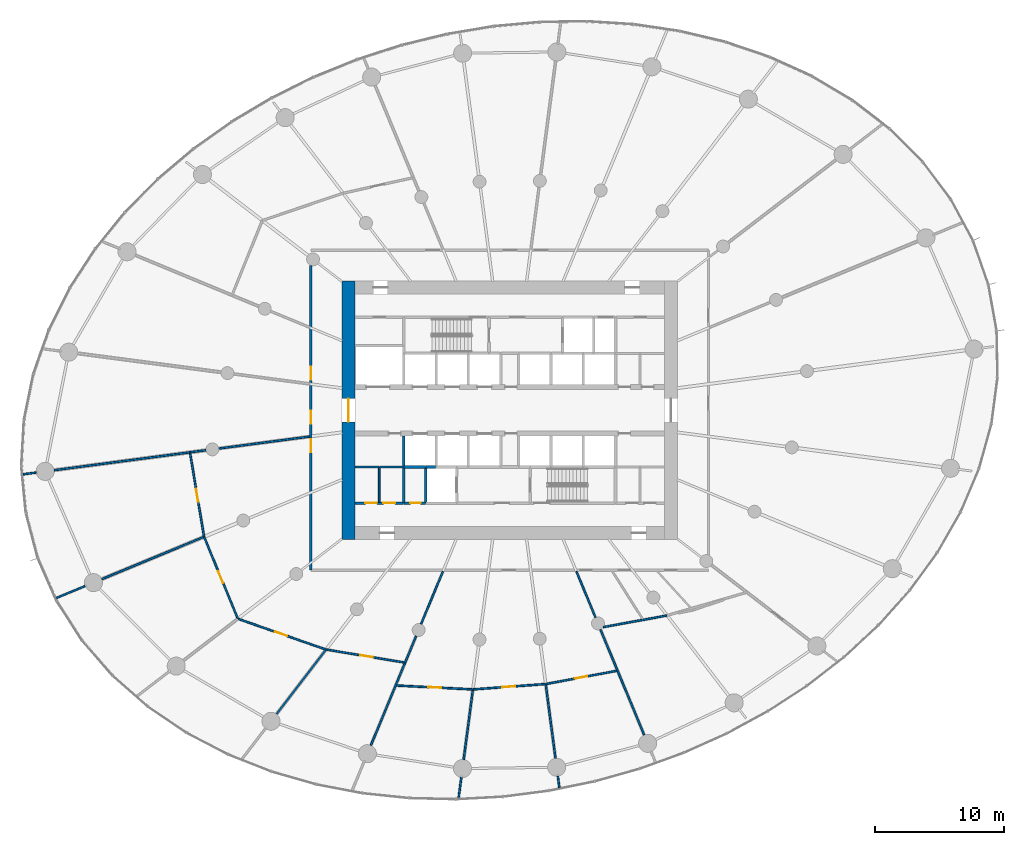
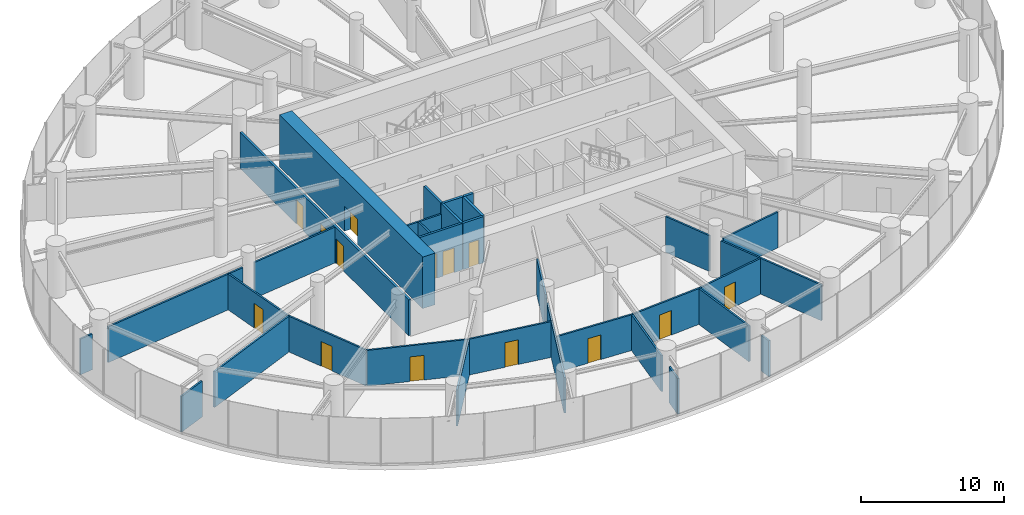
# One storey, part 11 of 18: 36 walls, 14 doors, 14 openings.
"""IFC4 building model written with IfcOpenShell, lengths in metres."""

from ifc_helpers import new_model, si_unit, direction, frame, frame_2d, origin, place, context, subcontext, project, spatial, rectangle, extrude, source, transform, mapped, material, layer, layer_set, type_object, element, fill, save


model = new_model("IFC4")

# Units and contexts
model_context = context("Model", 3, precision=1e-05, world=origin(), true_north=direction((0.0, 1.0)))
body_context = subcontext(model_context, "Body", "Model", "MODEL_VIEW")
ifc_project = project(units=[si_unit("LENGTHUNIT", "METRE"), si_unit("AREAUNIT", "SQUARE_METRE"), si_unit("VOLUMEUNIT", "CUBIC_METRE"), si_unit("PLANEANGLEUNIT", "RADIAN"), si_unit("MASSUNIT", "GRAM", prefix="KILO")], contexts=[model_context])

# Site, building, storey
site_placement = place(None, origin())
site = spatial("IfcSite", under=ifc_project, at=site_placement, CompositionType="ELEMENT")
building_placement = place(site_placement, origin())
building = spatial("IfcBuilding", under=site, at=building_placement, Name="Spindrift Exchange Tower", CompositionType="ELEMENT")
storey_placement = place(building_placement, frame((0.0, 0.0, 66.60009765625)))
storey = spatial("IfcBuildingStorey", under=building, at=storey_placement, Name="L15", CompositionType="ELEMENT", Elevation=66.60009765625)

# Wall, opening, door
ifc_material_1 = material(Name="Concrete 80 MPa", Category="concrete")
ifc_layer_1 = layer(ifc_material_1, 1.0)
ifc_layer_set_1 = layer_set([ifc_layer_1], Name="RC Core Wall 1000 Concrete 80 MPa")
wall_type_1 = type_object("IfcWallType", Name="RC Core Wall 1000 Concrete 80 MPa", PredefinedType="SHEAR", material=ifc_layer_set_1)
wall_1_placement = place(storey_placement, frame((39.5, 58.0, 0.0), z_axis=(0.0, 0.0, 1.0), x_axis=(0.0, -1.0, 0.0)))
wall_1 = element("IfcWall", 1, at=wall_1_placement, inside=storey, type_object=wall_type_1, Name="Core wall W L15", PredefinedType="SHEAR", context=body_context, shape_type="SweptSolid", body=[
    extrude(rectangle(XDim=20.0, YDim=1.0, at=frame_2d((10.0, 0.0))), origin(), (0.0, 0.0, 1.0), 4.39990234375),
])
opening_1_placement = place(wall_1_placement, frame((9.10009765625, 0.0, 0.0)))
opening_1 = element("IfcOpeningElement", 2, at=opening_1_placement, cuts=wall_1, Name="Opening L15-D1", PredefinedType="OPENING", context=body_context, shape_type="SweptSolid", body=[
    extrude(rectangle(XDim=1.800048828125, YDim=2.10009765625, at=frame_2d((0.89990234375, 1.050048828125))), frame((0.0, 0.510009765625, 0.0), z_axis=(0.0, -1.0, 0.0), x_axis=(1.0, 0.0, 0.0)), (0.0, 0.0, 1.0), 1.02001953125),
])
ifc_material_2 = material(Name="Timber-core fire door", Category="wood")
door_type_1 = type_object("IfcDoorType", Name="DR-LOBBY-1800", OperationType="NOTDEFINED", PredefinedType="DOOR", material=ifc_material_2)
shared_shape_1 = source(origin(), body_context, "Body", "SweptSolid", [
    extrude(rectangle(XDim=1.800048828125, YDim=2.10009765625, at=frame_2d((0.89990234375, 1.050048828125))), frame((0.0, 0.02490234375, 0.0), z_axis=(0.0, -1.0, 0.0), x_axis=(1.0, 0.0, 0.0)), (0.0, 0.0, 1.0), 0.050048828125),
])
door_1_placement = place(opening_1_placement, origin())
door_1 = element("IfcDoor", 3, at=door_1_placement, inside=storey, type_object=door_type_1, Name="L15 Lobby door 1", OperationType="SINGLE_SWING_LEFT", OverallHeight=2.10009765625, OverallWidth=1.800048828125, PredefinedType="DOOR", context=body_context, shape_type="MappedRepresentation", body=[
    mapped(shared_shape_1, transform((0.0, 0.0, 0.0), scale=1.0)),
])
fill(opening_1, door_1)

# Wall, openings, doors
ifc_material_3 = material(Name="Fire-rated plasterboard partition", Category="gypsum")
ifc_layer_2 = layer(ifc_material_3, 0.179931640625)
ifc_layer_set_2 = layer_set([ifc_layer_2], Name="W-CORR-180")
wall_type_2 = type_object("IfcWallType", Name="W-CORR-180", PredefinedType="PARTITIONING", material=ifc_layer_set_2)
wall_2_placement = place(storey_placement, frame((40.02001953125, 40.800048828125, 0.0), z_axis=(0.0, 0.0, 1.0), x_axis=(1.0, 0.0, 0.0)))
wall_2 = element("IfcWall", 4, at=wall_2_placement, inside=storey, type_object=wall_type_2, Name="L15 Partition wall 61", PredefinedType="PARTITIONING", context=body_context, shape_type="SweptSolid", body=[
    extrude(rectangle(XDim=3.75, YDim=0.179931640625, at=frame_2d((1.875, 0.0))), origin(), (0.0, 0.0, 1.0), 3.949951171875),
])
opening_2_placement = place(wall_2_placement, frame((0.800048828125, 0.0, 0.0)))
opening_2 = element("IfcOpeningElement", 5, at=opening_2_placement, cuts=wall_2, Name="Opening L15-D46", PredefinedType="OPENING", context=body_context, shape_type="SweptSolid", body=[
    extrude(rectangle(XDim=0.89990234375, YDim=2.10009765625, at=frame_2d((0.449951171875, 1.050048828125))), frame((0.0, 0.099853515625, 0.0), z_axis=(0.0, -1.0, 0.0), x_axis=(1.0, 0.0, 0.0)), (0.0, 0.0, 1.0), 0.199951171875),
])
opening_3_placement = place(wall_2_placement, frame((2.199951171875, 0.0, 0.0)))
opening_3 = element("IfcOpeningElement", 6, at=opening_3_placement, cuts=wall_2, Name="Opening L15-D47", PredefinedType="OPENING", context=body_context, shape_type="SweptSolid", body=[
    extrude(rectangle(XDim=0.89990234375, YDim=2.10009765625, at=frame_2d((0.449951171875, 1.050048828125))), frame((0.0, 0.099853515625, 0.0), z_axis=(0.0, -1.0, 0.0), x_axis=(1.0, 0.0, 0.0)), (0.0, 0.0, 1.0), 0.199951171875),
])
ifc_material_4 = material(Name="Steel access door", Category="steel")
door_type_2 = type_object("IfcDoorType", Name="DR-RISER-900", OperationType="NOTDEFINED", PredefinedType="DOOR", material=ifc_material_4)
shared_shape_2 = source(origin(), body_context, "Body", "SweptSolid", [
    extrude(rectangle(XDim=0.89990234375, YDim=2.10009765625, at=frame_2d((0.449951171875, 1.050048828125))), frame((0.0, 0.02490234375, 0.0), z_axis=(0.0, -1.0, 0.0), x_axis=(1.0, 0.0, 0.0)), (0.0, 0.0, 1.0), 0.050048828125),
])
door_2_placement = place(opening_2_placement, origin())
door_2 = element("IfcDoor", 7, at=door_2_placement, inside=storey, type_object=door_type_2, Name="L15 Riser door 46", OperationType="SINGLE_SWING_RIGHT", OverallHeight=2.10009765625, OverallWidth=0.89990234375, PredefinedType="DOOR", context=body_context, shape_type="MappedRepresentation", body=[
    mapped(shared_shape_2, transform((0.0, 0.0, 0.0), scale=1.0)),
])
fill(opening_2, door_2)
door_3_placement = place(opening_3_placement, origin())
door_3 = element("IfcDoor", 8, at=door_3_placement, inside=storey, type_object=door_type_2, Name="L15 Riser door 47", OperationType="SINGLE_SWING_LEFT", OverallHeight=2.10009765625, OverallWidth=0.89990234375, PredefinedType="DOOR", context=body_context, shape_type="MappedRepresentation", body=[
    mapped(shared_shape_2, transform((0.0, 0.0, 0.0), scale=1.0)),
])
fill(opening_3, door_3)

# Walls
ifc_layer_3 = layer(ifc_material_3, 0.139892578125)
ifc_layer_set_3 = layer_set([ifc_layer_3], Name="W-PART-140")
wall_type_3 = type_object("IfcWallType", Name="W-PART-140", PredefinedType="PARTITIONING", material=ifc_layer_set_3)
wall_3_placement = place(storey_placement, frame((27.23095703125, 44.739013671875, 0.0), z_axis=(0.0, 0.0, 1.0), x_axis=(-0.991446699666, -0.130512228242, 0.0)))
element("IfcWall", 9, at=wall_3_placement, inside=storey, type_object=wall_type_3, Name="L15 Partition wall 67", PredefinedType="PARTITIONING", context=body_context, shape_type="SweptSolid", body=[
    extrude(rectangle(XDim=10.614013671875, YDim=0.139892578125, at=frame_2d((5.30712890625, 0.0))), origin(), (0.0, 0.0, 1.0), 3.0498046875),
])
wall_4_placement = place(storey_placement, frame((28.32421875, 38.193115234375, 0.0), z_axis=(0.0, 0.0, 1.0), x_axis=(-0.923883575944, -0.382673670509, 0.0)))
element("IfcWall", 10, at=wall_4_placement, inside=storey, type_object=wall_type_3, Name="L15 Partition wall 71", PredefinedType="PARTITIONING", context=body_context, shape_type="SweptSolid", body=[
    extrude(rectangle(XDim=8.574462890625, YDim=0.139892578125, at=frame_2d((4.287109375, 0.0))), origin(), (0.0, 0.0, 1.0), 3.0498046875),
])
wall_5_placement = place(storey_placement, frame((37.72802734375, 29.400390625, 0.0), z_axis=(0.0, 0.0, 1.0), x_axis=(-0.608768873777, -0.793347627664, 0.0)))
element("IfcWall", 11, at=wall_5_placement, inside=storey, type_object=wall_type_3, Name="L15 Partition wall 81", PredefinedType="PARTITIONING", context=body_context, shape_type="SweptSolid", body=[
    extrude(rectangle(XDim=6.228515625, YDim=0.139892578125, at=frame_2d((3.1142578125, 0.0))), origin(), (0.0, 0.0, 1.0), 3.0498046875),
])
wall_6_placement = place(storey_placement, frame((54.79296875, 26.78515625, 0.0), z_axis=(0.0, 0.0, 1.0), x_axis=(0.130536206542, -0.991443542912, 0.0)))
element("IfcWall", 12, at=wall_6_placement, inside=storey, type_object=wall_type_3, Name="L15 Partition wall 87", PredefinedType="PARTITIONING", context=body_context, shape_type="SweptSolid", body=[
    extrude(rectangle(XDim=5.7978515625, YDim=0.139892578125, at=frame_2d((2.89892578125, 0.0))), origin(), (0.0, 0.0, 1.0), 3.0498046875),
])
wall_7_placement = place(storey_placement, frame((49.14306640625, 26.298828125, 0.0), z_axis=(0.0, 0.0, 1.0), x_axis=(-0.130549097007, -0.991441845632, 0.0)))
element("IfcWall", 13, at=wall_7_placement, inside=storey, type_object=wall_type_3, Name="L15 Partition wall 91", PredefinedType="PARTITIONING", context=body_context, shape_type="SweptSolid", body=[
    extrude(rectangle(XDim=5.408447265625, YDim=0.139892578125, at=frame_2d((2.7041015625, 0.0))), origin(), (0.0, 0.0, 1.0), 3.0498046875),
])
wall_8_placement = place(storey_placement, frame((59.25537109375, 31.193603515625, 0.0), z_axis=(0.0, 0.0, 1.0), x_axis=(0.983629077345, 0.180204989389, 0.0)))
element("IfcWall", 14, at=wall_8_placement, inside=storey, type_object=wall_type_3, Name="L15 Partition wall 94", PredefinedType="PARTITIONING", context=body_context, shape_type="SweptSolid", body=[
    extrude(rectangle(XDim=4.997802734375, YDim=0.139892578125, at=frame_2d((2.4990234375, 0.0))), origin(), (0.0, 0.0, 1.0), 3.0498046875),
])
wall_9_placement = place(storey_placement, frame((41.89990234375, 40.889892578125, 0.0), z_axis=(0.0, 0.0, 1.0), x_axis=(0.0, 1.0, 0.0)))
element("IfcWall", 15, at=wall_9_placement, inside=storey, type_object=wall_type_3, Name="L15 Partition wall 105", PredefinedType="PARTITIONING", context=body_context, shape_type="SweptSolid", body=[
    extrude(rectangle(XDim=2.710205078125, YDim=0.139892578125, at=frame_2d((1.35498046875, 0.0))), origin(), (0.0, 0.0, 1.0), 3.0498046875),
])
wall_10_placement = place(storey_placement, frame((19.099853515625, 34.372314453125, 0.0), z_axis=(0.0, 0.0, 1.0), x_axis=(-0.923877154041, -0.38268917445, 0.0)))
element("IfcWall", 16, at=wall_10_placement, inside=storey, type_object=wall_type_3, Name="L15 Partition wall 108", PredefinedType="PARTITIONING", context=body_context, shape_type="SweptSolid", body=[
    extrude(rectangle(XDim=2.385986328125, YDim=0.139892578125, at=frame_2d((1.19287109375, 0.0))), origin(), (0.0, 0.0, 1.0), 3.0498046875),
])
wall_11_placement = place(storey_placement, frame((43.77001953125, 43.60009765625, 0.0), z_axis=(0.0, 0.0, 1.0), x_axis=(-1.0, 0.0, 0.0)))
element("IfcWall", 17, at=wall_11_placement, inside=storey, type_object=wall_type_3, Name="L15 Partition wall 112", PredefinedType="PARTITIONING", context=body_context, shape_type="SweptSolid", body=[
    extrude(rectangle(XDim=1.840087890625, YDim=0.139892578125, at=frame_2d((0.919921875, 0.0))), origin(), (0.0, 0.0, 1.0), 3.0498046875),
])
wall_12_placement = place(storey_placement, frame((41.8701171875, 43.60009765625, 0.0), z_axis=(0.0, 0.0, 1.0), x_axis=(-1.0, 0.0, 0.0)))
element("IfcWall", 18, at=wall_12_placement, inside=storey, type_object=wall_type_3, Name="L15 Partition wall 115", PredefinedType="PARTITIONING", context=body_context, shape_type="SweptSolid", body=[
    extrude(rectangle(XDim=1.85009765625, YDim=0.139892578125, at=frame_2d((0.925048828125, 0.0))), origin(), (0.0, 0.0, 1.0), 3.0498046875),
])
wall_13_placement = place(storey_placement, frame((48.253173828125, 19.540283203125, 0.0), z_axis=(0.0, 0.0, 1.0), x_axis=(-0.130454512571, -0.991454295543, 0.0)))
element("IfcWall", 19, at=wall_13_placement, inside=storey, type_object=wall_type_3, Name="L15 Partition wall 118", PredefinedType="PARTITIONING", context=body_context, shape_type="SweptSolid", body=[
    extrude(rectangle(XDim=1.581298828125, YDim=0.139892578125, at=frame_2d((0.79052734375, 0.0))), origin(), (0.0, 0.0, 1.0), 3.0498046875),
])
wall_14_placement = place(storey_placement, frame((15.311279296875, 43.169921875, 0.0), z_axis=(0.0, 0.0, 1.0), x_axis=(-0.99142596949, -0.130669610165, 0.0)))
element("IfcWall", 20, at=wall_14_placement, inside=storey, type_object=wall_type_3, Name="L15 Partition wall 125", PredefinedType="PARTITIONING", context=body_context, shape_type="SweptSolid", body=[
    extrude(rectangle(XDim=1.027587890625, YDim=0.139892578125, at=frame_2d((0.513671875, 0.0))), origin(), (0.0, 0.0, 1.0), 3.0498046875),
])
wall_15_placement = place(storey_placement, frame((55.733642578125, 19.640380859375, 0.0), z_axis=(0.0, 0.0, 1.0), x_axis=(0.130418622478, -0.991459017262, 0.0)))
element("IfcWall", 21, at=wall_15_placement, inside=storey, type_object=wall_type_3, Name="L15 Partition wall 127", PredefinedType="PARTITIONING", context=body_context, shape_type="SweptSolid", body=[
    extrude(rectangle(XDim=0.8798828125, YDim=0.139892578125, at=frame_2d((0.43994140625, 0.0))), origin(), (0.0, 0.0, 1.0), 3.0498046875),
])
ifc_layer_4 = layer(ifc_material_3, 0.139892578125)
ifc_layer_set_4 = layer_set([ifc_layer_4], Name="W-PLANT-140")
wall_type_4 = type_object("IfcWallType", Name="W-PLANT-140", PredefinedType="PARTITIONING", material=ifc_layer_set_4)
wall_16_placement = place(storey_placement, frame((59.034912109375, 31.015869140625, 0.0), z_axis=(0.0, 0.0, 1.0), x_axis=(0.382692208588, -0.923875897232, 0.0)))
element("IfcWall", 22, at=wall_16_placement, inside=storey, type_object=wall_type_4, Name="L15 Partition wall 70", PredefinedType="PARTITIONING", context=body_context, shape_type="SweptSolid", body=[
    extrude(rectangle(XDim=8.846435546875, YDim=0.139892578125, at=frame_2d((4.42333984375, 0.0))), origin(), (0.0, 0.0, 1.0), 3.0498046875),
])

# Wall, opening, door
wall_17_placement = place(storey_placement, frame((37.77294921875, 29.458984375, 0.0), z_axis=(0.0, 0.0, 1.0), x_axis=(-0.944197740639, 0.329379153215, 0.0)))
wall_17 = element("IfcWall", 23, at=wall_17_placement, inside=storey, type_object=wall_type_4, Name="L15 Partition wall 74", PredefinedType="PARTITIONING", context=body_context, shape_type="SweptSolid", body=[
    extrude(rectangle(XDim=7.234375, YDim=0.139892578125, at=frame_2d((3.6171875, 0.0))), origin(), (0.0, 0.0, 1.0), 3.0498046875),
])
opening_4_placement = place(wall_17_placement, frame((3.184326171875, 0.0, 0.0)))
opening_4 = element("IfcOpeningElement", 24, at=opening_4_placement, cuts=wall_17, Name="Opening L15-D39", PredefinedType="OPENING", context=body_context, shape_type="SweptSolid", body=[
    extrude(rectangle(XDim=1.0, YDim=2.10009765625, at=frame_2d((0.5, 1.050048828125))), frame((0.0, 0.079833984375, 0.0), z_axis=(0.0, -1.0, 0.0), x_axis=(1.0, 0.0, 0.0)), (0.0, 0.0, 1.0), 0.159912109375),
])
door_type_3 = type_object("IfcDoorType", Name="DR-ROOM-1000", OperationType="NOTDEFINED", PredefinedType="DOOR", material=ifc_material_2)
shared_shape_3 = source(origin(), body_context, "Body", "SweptSolid", [
    extrude(rectangle(XDim=1.0, YDim=2.10009765625, at=frame_2d((0.5, 1.050048828125))), frame((0.0, 0.02490234375, 0.0), z_axis=(0.0, -1.0, 0.0), x_axis=(1.0, 0.0, 0.0)), (0.0, 0.0, 1.0), 0.050048828125),
])
door_4_placement = place(opening_4_placement, origin())
door_4 = element("IfcDoor", 25, at=door_4_placement, inside=storey, type_object=door_type_3, Name="L15 Door 39", OperationType="SINGLE_SWING_LEFT", OverallHeight=2.10009765625, OverallWidth=1.0, PredefinedType="DOOR", context=body_context, shape_type="MappedRepresentation", body=[
    mapped(shared_shape_3, transform((0.0, 0.0, 0.0), scale=1.0)),
])
fill(opening_4, door_4)

# Walls
wall_18_placement = place(storey_placement, frame((36.510009765625, 45.960693359375, 0.0), z_axis=(0.0, 0.0, 1.0), x_axis=(-0.99144622305, -0.130515848849, 0.0)))
element("IfcWall", 26, at=wall_18_placement, inside=storey, type_object=wall_type_4, Name="L15 Partition wall 75", PredefinedType="PARTITIONING", context=body_context, shape_type="SweptSolid", body=[
    extrude(rectangle(XDim=7.1044921875, YDim=0.139892578125, at=frame_2d((3.55224609375, 0.0))), origin(), (0.0, 0.0, 1.0), 3.0498046875),
])
wall_19_placement = place(storey_placement, frame((43.898681640625, 28.442138671875, 0.0), z_axis=(0.0, 0.0, 1.0), x_axis=(-0.382643242671, -0.923896178603, 0.0)))
element("IfcWall", 27, at=wall_19_placement, inside=storey, type_object=wall_type_4, Name="L15 Partition wall 76", PredefinedType="PARTITIONING", context=body_context, shape_type="SweptSolid", body=[
    extrude(rectangle(XDim=6.9296875, YDim=0.139892578125, at=frame_2d((3.46484375, 0.0))), origin(), (0.0, 0.0, 1.0), 3.0498046875),
])

# Wall, opening, door
wall_20_placement = place(storey_placement, frame((30.930908203125, 31.86962890625, 0.0), z_axis=(0.0, 0.0, 1.0), x_axis=(-0.38111222583, 0.924528783393, 0.0)))
wall_20 = element("IfcWall", 28, at=wall_20_placement, inside=storey, type_object=wall_type_4, Name="L15 Partition wall 77", PredefinedType="PARTITIONING", context=body_context, shape_type="SweptSolid", body=[
    extrude(rectangle(XDim=6.8095703125, YDim=0.139892578125, at=frame_2d((3.40478515625, 0.0))), origin(), (0.0, 0.0, 1.0), 3.0498046875),
])
opening_5_placement = place(wall_20_placement, frame((2.959716796875, 0.0, 0.0)))
opening_5 = element("IfcOpeningElement", 29, at=opening_5_placement, cuts=wall_20, Name="Opening L15-D38", PredefinedType="OPENING", context=body_context, shape_type="SweptSolid", body=[
    extrude(rectangle(XDim=1.0, YDim=2.10009765625, at=frame_2d((0.5, 1.050048828125))), frame((0.0, 0.079833984375, 0.0), z_axis=(0.0, -1.0, 0.0), x_axis=(1.0, 0.0, 0.0)), (0.0, 0.0, 1.0), 0.159912109375),
])
door_5_placement = place(opening_5_placement, origin())
door_5 = element("IfcDoor", 30, at=door_5_placement, inside=storey, type_object=door_type_3, Name="L15 Door 38", OperationType="SINGLE_SWING_RIGHT", OverallHeight=2.10009765625, OverallWidth=1.0, PredefinedType="DOOR", context=body_context, shape_type="MappedRepresentation", body=[
    mapped(shared_shape_3, transform((0.0, 0.0, 0.0), scale=1.0)),
])
fill(opening_5, door_5)

wall_21_placement = place(storey_placement, frame((28.319091796875, 38.22265625, 0.0), z_axis=(0.0, 0.0, 1.0), x_axis=(-0.164712011009, 0.986341702165, 0.0)))
wall_21 = element("IfcWall", 31, at=wall_21_placement, inside=storey, type_object=wall_type_4, Name="L15 Partition wall 78", PredefinedType="PARTITIONING", context=body_context, shape_type="SweptSolid", body=[
    extrude(rectangle(XDim=6.57666015625, YDim=0.139892578125, at=frame_2d((3.288330078125, 0.0))), origin(), (0.0, 0.0, 1.0), 3.0498046875),
])
opening_6_placement = place(wall_21_placement, frame((2.726806640625, 0.0, 0.0)))
opening_6 = element("IfcOpeningElement", 32, at=opening_6_placement, cuts=wall_21, Name="Opening L15-D37", PredefinedType="OPENING", context=body_context, shape_type="SweptSolid", body=[
    extrude(rectangle(XDim=1.0, YDim=2.10009765625, at=frame_2d((0.5, 1.050048828125))), frame((0.0, 0.079833984375, 0.0), z_axis=(0.0, -1.0, 0.0), x_axis=(1.0, 0.0, 0.0)), (0.0, 0.0, 1.0), 0.159912109375),
])
door_6_placement = place(opening_6_placement, origin())
door_6 = element("IfcDoor", 33, at=door_6_placement, inside=storey, type_object=door_type_3, Name="L15 Door 37", OperationType="SINGLE_SWING_LEFT", OverallHeight=2.10009765625, OverallWidth=1.0, PredefinedType="DOOR", context=body_context, shape_type="MappedRepresentation", body=[
    mapped(shared_shape_3, transform((0.0, 0.0, 0.0), scale=1.0)),
])
fill(opening_6, door_6)

wall_22_placement = place(storey_placement, frame((43.827880859375, 28.453857421875, 0.0), z_axis=(0.0, 0.0, 1.0), x_axis=(-0.986499590072, 0.163763728546, 0.0)))
wall_22 = element("IfcWall", 34, at=wall_22_placement, inside=storey, type_object=wall_type_4, Name="L15 Partition wall 83", PredefinedType="PARTITIONING", context=body_context, shape_type="SweptSolid", body=[
    extrude(rectangle(XDim=6.10791015625, YDim=0.139892578125, at=frame_2d((3.053955078125, 0.0))), origin(), (0.0, 0.0, 1.0), 3.0498046875),
])
opening_7_placement = place(wall_22_placement, frame((2.4580078125, 0.0, 0.0)))
opening_7 = element("IfcOpeningElement", 35, at=opening_7_placement, cuts=wall_22, Name="Opening L15-D40", PredefinedType="OPENING", context=body_context, shape_type="SweptSolid", body=[
    extrude(rectangle(XDim=1.0, YDim=2.10009765625, at=frame_2d((0.5, 1.050048828125))), frame((0.0, 0.079833984375, 0.0), z_axis=(0.0, -1.0, 0.0), x_axis=(1.0, 0.0, 0.0)), (0.0, 0.0, 1.0), 0.159912109375),
])
door_7_placement = place(opening_7_placement, origin())
door_7 = element("IfcDoor", 36, at=door_7_placement, inside=storey, type_object=door_type_3, Name="L15 Door 40", OperationType="SINGLE_SWING_RIGHT", OverallHeight=2.10009765625, OverallWidth=1.0, PredefinedType="DOOR", context=body_context, shape_type="MappedRepresentation", body=[
    mapped(shared_shape_3, transform((0.0, 0.0, 0.0), scale=1.0)),
])
fill(opening_7, door_7)

wall_23_placement = place(storey_placement, frame((49.152099609375, 26.368408203125, 0.0), z_axis=(0.0, 0.0, 1.0), x_axis=(-0.998693229409, 0.051106100745, 0.0)))
wall_23 = element("IfcWall", 37, at=wall_23_placement, inside=storey, type_object=wall_type_4, Name="L15 Partition wall 86", PredefinedType="PARTITIONING", context=body_context, shape_type="SweptSolid", body=[
    extrude(rectangle(XDim=5.9189453125, YDim=0.139892578125, at=frame_2d((2.95947265625, 0.0))), origin(), (0.0, 0.0, 1.0), 3.0498046875),
])
opening_8_placement = place(wall_23_placement, frame((2.468994140625, 0.0, 0.0)))
opening_8 = element("IfcOpeningElement", 38, at=opening_8_placement, cuts=wall_23, Name="Opening L15-D42", PredefinedType="OPENING", context=body_context, shape_type="SweptSolid", body=[
    extrude(rectangle(XDim=1.0, YDim=2.10009765625, at=frame_2d((0.5, 1.050048828125))), frame((0.0, 0.079833984375, 0.0), z_axis=(0.0, -1.0, 0.0), x_axis=(1.0, 0.0, 0.0)), (0.0, 0.0, 1.0), 0.159912109375),
])
door_8_placement = place(opening_8_placement, origin())
door_8 = element("IfcDoor", 39, at=door_8_placement, inside=storey, type_object=door_type_3, Name="L15 Door 42", OperationType="SINGLE_SWING_RIGHT", OverallHeight=2.10009765625, OverallWidth=1.0, PredefinedType="DOOR", context=body_context, shape_type="MappedRepresentation", body=[
    mapped(shared_shape_3, transform((0.0, 0.0, 0.0), scale=1.0)),
])
fill(opening_8, door_8)

wall_24_placement = place(storey_placement, frame((60.288330078125, 27.807373046875, 0.0), z_axis=(0.0, 0.0, 1.0), x_axis=(-0.983131702219, -0.182899032506, 0.0)))
wall_24 = element("IfcWall", 40, at=wall_24_placement, inside=storey, type_object=wall_type_4, Name="L15 Partition wall 88", PredefinedType="PARTITIONING", context=body_context, shape_type="SweptSolid", body=[
    extrude(rectangle(XDim=5.5595703125, YDim=0.139892578125, at=frame_2d((2.77978515625, 0.0))), origin(), (0.0, 0.0, 1.0), 3.0498046875),
])
opening_9_placement = place(wall_24_placement, frame((2.3095703125, 0.0, 0.0)))
opening_9 = element("IfcOpeningElement", 41, at=opening_9_placement, cuts=wall_24, Name="Opening L15-D44", PredefinedType="OPENING", context=body_context, shape_type="SweptSolid", body=[
    extrude(rectangle(XDim=1.0, YDim=2.10009765625, at=frame_2d((0.5, 1.050048828125))), frame((0.0, 0.079833984375, 0.0), z_axis=(0.0, -1.0, 0.0), x_axis=(1.0, 0.0, 0.0)), (0.0, 0.0, 1.0), 0.159912109375),
])
door_9_placement = place(opening_9_placement, origin())
door_9 = element("IfcDoor", 42, at=door_9_placement, inside=storey, type_object=door_type_3, Name="L15 Door 44", OperationType="SINGLE_SWING_RIGHT", OverallHeight=2.10009765625, OverallWidth=1.0, PredefinedType="DOOR", context=body_context, shape_type="MappedRepresentation", body=[
    mapped(shared_shape_3, transform((0.0, 0.0, 0.0), scale=1.0)),
])
fill(opening_9, door_9)

wall_25_placement = place(storey_placement, frame((54.76318359375, 26.782958984375, 0.0), z_axis=(0.0, 0.0, 1.0), x_axis=(-0.997281900443, -0.073680465852, 0.0)))
wall_25 = element("IfcWall", 43, at=wall_25_placement, inside=storey, type_object=wall_type_4, Name="L15 Partition wall 89", PredefinedType="PARTITIONING", context=body_context, shape_type="SweptSolid", body=[
    extrude(rectangle(XDim=5.596435546875, YDim=0.139892578125, at=frame_2d((2.79833984375, 0.0))), origin(), (0.0, 0.0, 1.0), 3.0498046875),
])
opening_10_placement = place(wall_25_placement, frame((2.34619140625, 0.0, 0.0)))
opening_10 = element("IfcOpeningElement", 44, at=opening_10_placement, cuts=wall_25, Name="Opening L15-D43", PredefinedType="OPENING", context=body_context, shape_type="SweptSolid", body=[
    extrude(rectangle(XDim=1.0, YDim=2.10009765625, at=frame_2d((0.5, 1.050048828125))), frame((0.0, 0.079833984375, 0.0), z_axis=(0.0, -1.0, 0.0), x_axis=(1.0, 0.0, 0.0)), (0.0, 0.0, 1.0), 0.159912109375),
])
door_10_placement = place(opening_10_placement, origin())
door_10 = element("IfcDoor", 45, at=door_10_placement, inside=storey, type_object=door_type_3, Name="L15 Door 43", OperationType="SINGLE_SWING_LEFT", OverallHeight=2.10009765625, OverallWidth=1.0, PredefinedType="DOOR", context=body_context, shape_type="MappedRepresentation", body=[
    mapped(shared_shape_3, transform((0.0, 0.0, 0.0), scale=1.0)),
])
fill(opening_10, door_10)

# Walls
wall_26_placement = place(storey_placement, frame((46.826416015625, 35.510009765625, 0.0), z_axis=(0.0, 0.0, 1.0), x_axis=(-0.382672831764, -0.923883923353, 0.0)))
element("IfcWall", 46, at=wall_26_placement, inside=storey, type_object=wall_type_4, Name="L15 Partition wall 96", PredefinedType="PARTITIONING", context=body_context, shape_type="SweptSolid", body=[
    extrude(rectangle(XDim=4.410400390625, YDim=0.139892578125, at=frame_2d((2.205078125, 0.0))), origin(), (0.0, 0.0, 1.0), 3.0498046875),
])
wall_27_placement = place(storey_placement, frame((44.752197265625, 30.502197265625, 0.0), z_axis=(0.0, 0.0, 1.0), x_axis=(-0.38265237095, -0.923892397959, 0.0)))
element("IfcWall", 47, at=wall_27_placement, inside=storey, type_object=wall_type_4, Name="L15 Partition wall 97", PredefinedType="PARTITIONING", context=body_context, shape_type="SweptSolid", body=[
    extrude(rectangle(XDim=2.199951171875, YDim=0.139892578125, at=frame_2d((1.10009765625, 0.0))), origin(), (0.0, 0.0, 1.0), 3.0498046875),
])
wall_28_placement = place(storey_placement, frame((57.173583984375, 35.510009765625, 0.0), z_axis=(0.0, 0.0, 1.0), x_axis=(0.382644558062, -0.923895633817, 0.0)))
element("IfcWall", 48, at=wall_28_placement, inside=storey, type_object=wall_type_4, Name="L15 Partition wall 98", PredefinedType="PARTITIONING", context=body_context, shape_type="SweptSolid", body=[
    extrude(rectangle(XDim=3.854248046875, YDim=0.139892578125, at=frame_2d((1.92724609375, 0.0))), origin(), (0.0, 0.0, 1.0), 3.0498046875),
])
wall_29_placement = place(storey_placement, frame((28.466064453125, 44.901611328125, 0.0), z_axis=(0.0, 0.0, 1.0), x_axis=(-0.99144746031, -0.130506449818, 0.0)))
element("IfcWall", 49, at=wall_29_placement, inside=storey, type_object=wall_type_4, Name="L15 Partition wall 122", PredefinedType="PARTITIONING", context=body_context, shape_type="SweptSolid", body=[
    extrude(rectangle(XDim=1.216064453125, YDim=0.139892578125, at=frame_2d((0.60791015625, 0.0))), origin(), (0.0, 0.0, 1.0), 3.0498046875),
])

# Wall, openings, doors
ifc_layer_5 = layer(ifc_material_3, 0.179931640625)
ifc_layer_set_5 = layer_set([ifc_layer_5], Name="W-PLANT-180")
wall_type_5 = type_object("IfcWallType", Name="W-PLANT-180", PredefinedType="PARTITIONING", material=ifc_layer_set_5)
wall_30_placement = place(storey_placement, frame((36.60009765625, 35.6298828125, 0.0), z_axis=(0.0, 0.0, 1.0), x_axis=(0.0, 1.0, 0.0)))
wall_30 = element("IfcWall", 50, at=wall_30_placement, inside=storey, type_object=wall_type_5, Name="L15 Partition wall 60", PredefinedType="PARTITIONING", context=body_context, shape_type="SweptSolid", body=[
    extrude(rectangle(XDim=23.58251953125, YDim=0.179931640625, at=frame_2d((11.791259765625, 0.0))), origin(), (0.0, 0.0, 1.0), 3.0498046875),
])
opening_11_placement = place(wall_30_placement, frame((14.732421875, 0.0, 0.0)))
opening_11 = element("IfcOpeningElement", 51, at=opening_11_placement, cuts=wall_30, Name="Opening L15-D34", PredefinedType="OPENING", context=body_context, shape_type="SweptSolid", body=[
    extrude(rectangle(XDim=1.0, YDim=2.10009765625, at=frame_2d((0.5, 1.050048828125))), frame((0.0, 0.099853515625, 0.0), z_axis=(0.0, -1.0, 0.0), x_axis=(1.0, 0.0, 0.0)), (0.0, 0.0, 1.0), 0.199951171875),
])
opening_12_placement = place(wall_30_placement, frame((11.33251953125, 0.0, 0.0)))
opening_12 = element("IfcOpeningElement", 52, at=opening_12_placement, cuts=wall_30, Name="Opening L15-D35", PredefinedType="OPENING", context=body_context, shape_type="SweptSolid", body=[
    extrude(rectangle(XDim=1.0, YDim=2.10009765625, at=frame_2d((0.5, 1.050048828125))), frame((0.0, 0.099853515625, 0.0), z_axis=(0.0, -1.0, 0.0), x_axis=(1.0, 0.0, 0.0)), (0.0, 0.0, 1.0), 0.199951171875),
])
opening_13_placement = place(wall_30_placement, frame((9.132568359375, 0.0, 0.0)))
opening_13 = element("IfcOpeningElement", 53, at=opening_13_placement, cuts=wall_30, Name="Opening L15-D36", PredefinedType="OPENING", context=body_context, shape_type="SweptSolid", body=[
    extrude(rectangle(XDim=1.0, YDim=2.10009765625, at=frame_2d((0.5, 1.050048828125))), frame((0.0, 0.099853515625, 0.0), z_axis=(0.0, -1.0, 0.0), x_axis=(1.0, 0.0, 0.0)), (0.0, 0.0, 1.0), 0.199951171875),
])
door_11_placement = place(opening_11_placement, origin())
door_11 = element("IfcDoor", 54, at=door_11_placement, inside=storey, type_object=door_type_3, Name="L15 Door 34", OperationType="SINGLE_SWING_RIGHT", OverallHeight=2.10009765625, OverallWidth=1.0, PredefinedType="DOOR", context=body_context, shape_type="MappedRepresentation", body=[
    mapped(shared_shape_3, transform((0.0, 0.0, 0.0), scale=1.0)),
])
fill(opening_11, door_11)
door_12_placement = place(opening_12_placement, origin())
door_12 = element("IfcDoor", 55, at=door_12_placement, inside=storey, type_object=door_type_3, Name="L15 Door 35", OperationType="SINGLE_SWING_LEFT", OverallHeight=2.10009765625, OverallWidth=1.0, PredefinedType="DOOR", context=body_context, shape_type="MappedRepresentation", body=[
    mapped(shared_shape_3, transform((0.0, 0.0, 0.0), scale=1.0)),
])
fill(opening_12, door_12)
door_13_placement = place(opening_13_placement, origin())
door_13 = element("IfcDoor", 56, at=door_13_placement, inside=storey, type_object=door_type_3, Name="L15 Door 36", OperationType="SINGLE_SWING_RIGHT", OverallHeight=2.10009765625, OverallWidth=1.0, PredefinedType="DOOR", context=body_context, shape_type="MappedRepresentation", body=[
    mapped(shared_shape_3, transform((0.0, 0.0, 0.0), scale=1.0)),
])
fill(opening_13, door_13)

# Walls
ifc_material_5 = material(Name="Concrete 40 MPa", Category="concrete")
ifc_layer_6 = layer(ifc_material_5, 0.199951171875)
ifc_layer_set_6 = layer_set([ifc_layer_6], Name="W-SHAFT-200")
wall_type_6 = type_object("IfcWallType", Name="W-SHAFT-200", PredefinedType="SOLIDWALL", material=ifc_layer_set_6)
for number, where, z_axis, x_axis, name in (
    (57, (43.800048828125, 43.60009765625, 0.0), (0.0, 0.0, 1.0), (0.0, -1.0, 0.0), "L15 Shaft wall 6"),
    (58, (45.5, 43.60009765625, 0.0), (0.0, 0.0, 1.0), (0.0, -1.0, 0.0), "L15 Shaft wall 7"),
):
    element("IfcWall", number, at=place(storey_placement, frame(where, z_axis=z_axis, x_axis=x_axis)), inside=storey, type_object=wall_type_6, Name=name, PredefinedType="SOLIDWALL", context=body_context, shape_type="SweptSolid", body=[
        extrude(rectangle(XDim=2.800048828125, YDim=0.199951171875, at=frame_2d((1.39990234375, 0.0))), origin(), (0.0, 0.0, 1.0), 3.949951171875),
    ])
wall_31_placement = place(storey_placement, frame((43.800048828125, 45.989990234375, 0.0), z_axis=(0.0, 0.0, 1.0), x_axis=(0.0, -1.0, 0.0)))
element("IfcWall", 59, at=wall_31_placement, inside=storey, type_object=wall_type_6, Name="L15 Shaft wall 23", PredefinedType="SOLIDWALL", context=body_context, shape_type="SweptSolid", body=[
    extrude(rectangle(XDim=2.360107421875, YDim=0.199951171875, at=frame_2d((1.18017578125, 0.0))), origin(), (0.0, 0.0, 1.0), 3.949951171875),
])
wall_32_placement = place(storey_placement, frame((43.830078125, 43.60009765625, 0.0), z_axis=(0.0, 0.0, 1.0), x_axis=(1.0, 0.0, 0.0)))
element("IfcWall", 60, at=wall_32_placement, inside=storey, type_object=wall_type_6, Name="L15 Shaft wall 40", PredefinedType="SOLIDWALL", context=body_context, shape_type="SweptSolid", body=[
    extrude(rectangle(XDim=1.639892578125, YDim=0.199951171875, at=frame_2d((0.81982421875, 0.0))), origin(), (0.0, 0.0, 1.0), 3.949951171875),
])

# Wall, opening, door
wall_33_placement = place(storey_placement, frame((43.830078125, 40.800048828125, 0.0), z_axis=(0.0, 0.0, 1.0), x_axis=(1.0, 0.0, 0.0)))
wall_33 = element("IfcWall", 61, at=wall_33_placement, inside=storey, type_object=wall_type_6, Name="L15 Shaft wall 41", PredefinedType="SOLIDWALL", context=body_context, shape_type="SweptSolid", body=[
    extrude(rectangle(XDim=1.639892578125, YDim=0.199951171875, at=frame_2d((0.81982421875, 0.0))), origin(), (0.0, 0.0, 1.0), 3.949951171875),
])
opening_14_placement = place(wall_33_placement, frame((0.469970703125, 0.0, 0.0)))
opening_14 = element("IfcOpeningElement", 62, at=opening_14_placement, cuts=wall_33, Name="Opening L15-D19", PredefinedType="OPENING", context=body_context, shape_type="SweptSolid", body=[
    extrude(rectangle(XDim=0.800048828125, YDim=2.10009765625, at=frame_2d((0.39990234375, 1.050048828125))), frame((0.0, 0.10986328125, 0.0), z_axis=(0.0, -1.0, 0.0), x_axis=(1.0, 0.0, 0.0)), (0.0, 0.0, 1.0), 0.219970703125),
])
door_type_4 = type_object("IfcDoorType", Name="DR-RISER-800", OperationType="NOTDEFINED", PredefinedType="DOOR", material=ifc_material_4)
shared_shape_4 = source(origin(), body_context, "Body", "SweptSolid", [
    extrude(rectangle(XDim=0.800048828125, YDim=2.10009765625, at=frame_2d((0.39990234375, 1.050048828125))), frame((0.0, 0.02490234375, 0.0), z_axis=(0.0, -1.0, 0.0), x_axis=(1.0, 0.0, 0.0)), (0.0, 0.0, 1.0), 0.050048828125),
])
door_14_placement = place(opening_14_placement, origin())
door_14 = element("IfcDoor", 63, at=door_14_placement, inside=storey, type_object=door_type_4, Name="L15 Riser door 19", OperationType="SINGLE_SWING_LEFT", OverallHeight=2.10009765625, OverallWidth=0.800048828125, PredefinedType="DOOR", context=body_context, shape_type="MappedRepresentation", body=[
    mapped(shared_shape_4, transform((0.0, 0.0, 0.0), scale=1.0)),
])
fill(opening_14, door_14)

# Wall
wall_34_placement = place(storey_placement, frame((45.530029296875, 43.60009765625, 0.0), z_axis=(0.0, 0.0, 1.0), x_axis=(1.0, 0.0, 0.0)))
element("IfcWall", 64, at=wall_34_placement, inside=storey, type_object=wall_type_6, Name="L15 Shaft wall 54", PredefinedType="SOLIDWALL", context=body_context, shape_type="SweptSolid", body=[
    extrude(rectangle(XDim=0.739990234375, YDim=0.199951171875, at=frame_2d((0.3701171875, 0.0))), origin(), (0.0, 0.0, 1.0), 3.949951171875),
])

save(model, "model.ifc")
